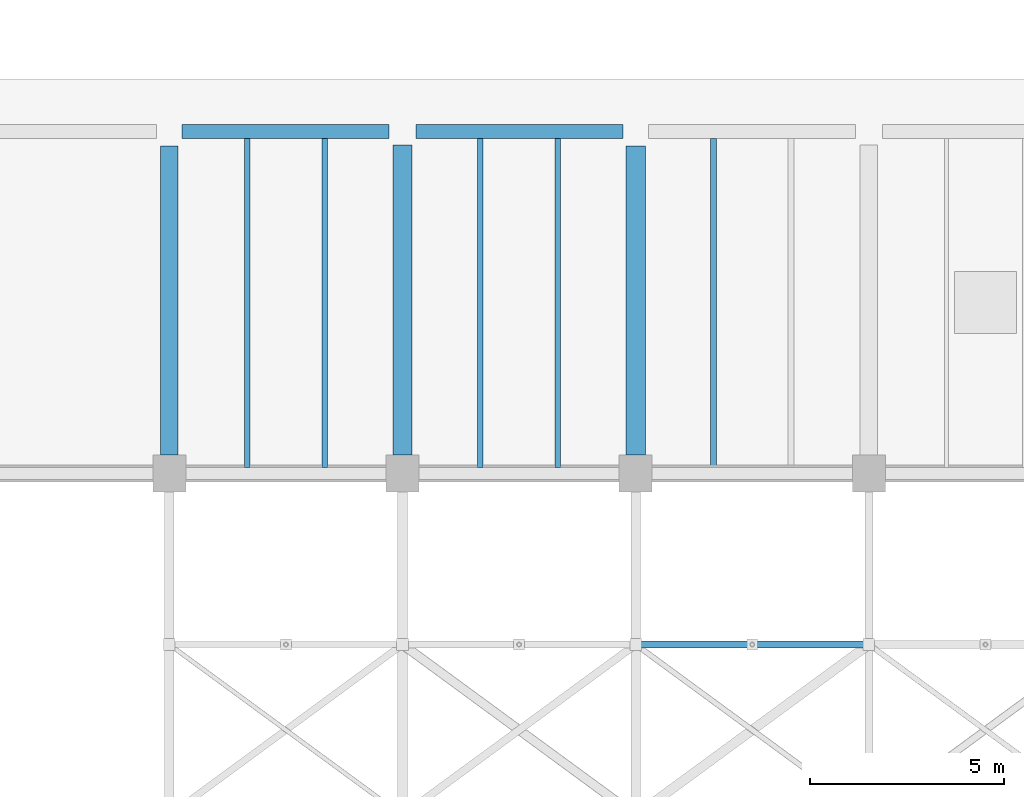
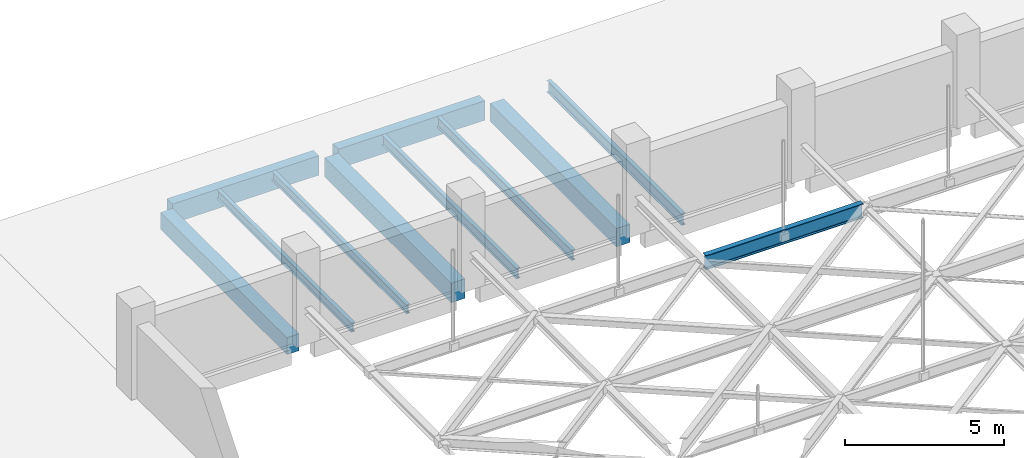
# One storey, part 50 of 93: 11 beams.
"""IFC4 building model written with IfcOpenShell, lengths in metres."""

from ifc_helpers import new_model, si_unit, direction, frame, origin, origin_2d, place, context, subcontext, project, spatial, rectangle, i_section, extrude, material, material_profile, profile_set, type_object, element, save


model = new_model("IFC4")

# Units and contexts
model_context = context("Model", 3, precision=1e-05, world=origin(), true_north=direction((0.0, 1.0)))
body_context = subcontext(model_context, "Body", "Model", "MODEL_VIEW")
ifc_project = project(units=[si_unit("LENGTHUNIT", "METRE"), si_unit("AREAUNIT", "SQUARE_METRE"), si_unit("VOLUMEUNIT", "CUBIC_METRE"), si_unit("PLANEANGLEUNIT", "RADIAN"), si_unit("MASSUNIT", "GRAM", prefix="KILO")], contexts=[model_context])

# Site, building, storey
site_placement = place(None, origin())
site = spatial("IfcSite", under=ifc_project, at=site_placement, CompositionType="ELEMENT")
building_placement = place(site_placement, origin())
building = spatial("IfcBuilding", under=site, at=building_placement, Name="Varnakota Cinema and Media Centre", CompositionType="ELEMENT")
storey_placement = place(building_placement, frame((0.0, 0.0, 12.0)))
storey = spatial("IfcBuildingStorey", under=building, at=storey_placement, Name="L03", CompositionType="ELEMENT", Elevation=12.0)

# Beams
ifc_material_1 = material(Name="Concrete M35", Category="concrete")
ifc_material_profile_1 = material_profile(ifc_material_1, rectangle(XDim=0.449951171875, YDim=0.64990234375, at=origin_2d()), Name="RCB 450x650")
ifc_profile_set_1 = profile_set([ifc_material_profile_1], Name="Concrete M35")
beam_type_1 = type_object("IfcBeamType", Name="BM-RC-450x650", PredefinedType="BEAM", material=ifc_profile_set_1)
beam_1_placement = place(storey_placement, frame((81.0, 35.675048828125, -0.5849609375), z_axis=(0.0, 1.0, 0.0), x_axis=(-1.0, 0.0, 0.0)))
element("IfcBeam", 1, at=beam_1_placement, inside=storey, type_object=beam_type_1, Name="L03 girder L/5-6", PredefinedType="BEAM", context=body_context, shape_type="SweptSolid", body=[
    extrude(rectangle(XDim=0.449951171875, YDim=0.64990234375, at=origin_2d()), origin(), (0.0, 0.0, 1.0), 7.949951171875),
])
ifc_material_2 = material(Name="Concrete M35", Category="concrete")
ifc_material_profile_2 = material_profile(ifc_material_2, rectangle(XDim=0.5, YDim=0.699951171875, at=origin_2d()), Name="RCB 500x700")
ifc_profile_set_2 = profile_set([ifc_material_profile_2], Name="Concrete M35")
beam_type_2 = type_object("IfcBeamType", Name="BM-RC-500x700", PredefinedType="BEAM", material=ifc_profile_set_2)
beam_2_placement = place(storey_placement, frame((93.0, 35.675048828125, -0.610107421875), z_axis=(0.0, 1.0, 0.0), x_axis=(-1.0, 0.0, 0.0)))
element("IfcBeam", 2, at=beam_2_placement, inside=storey, type_object=beam_type_2, Name="L03 girder N/5-6", PredefinedType="BEAM", context=body_context, shape_type="SweptSolid", body=[
    extrude(rectangle(XDim=0.5, YDim=0.699951171875, at=origin_2d()), origin(), (0.0, 0.0, 1.0), 7.949951171875),
])
ifc_material_3 = material(Name="Concrete M35", Category="concrete")
ifc_material_profile_3 = material_profile(ifc_material_3, rectangle(XDim=0.5, YDim=0.75, at=origin_2d()), Name="RCB 500x750")
ifc_profile_set_3 = profile_set([ifc_material_profile_3], Name="Concrete M35")
beam_type_3 = type_object("IfcBeamType", Name="BM-RC-500x750", PredefinedType="BEAM", material=ifc_profile_set_3)
beam_3_placement = place(storey_placement, frame((87.0, 35.675048828125, -0.635009765625), z_axis=(0.0, 1.0, 0.0), x_axis=(-1.0, 0.0, 0.0)))
element("IfcBeam", 3, at=beam_3_placement, inside=storey, type_object=beam_type_3, Name="L03 girder M/5-6", PredefinedType="BEAM", context=body_context, shape_type="SweptSolid", body=[
    extrude(rectangle(XDim=0.5, YDim=0.75, at=origin_2d()), origin(), (0.0, 0.0, 1.0), 7.974853515625),
])
ifc_material_4 = material(Name="Concrete M40", Category="concrete")
ifc_material_profile_4 = material_profile(ifc_material_4, rectangle(XDim=0.35009765625, YDim=0.75, at=origin_2d()), Name="RCB 350x750")
ifc_profile_set_4 = profile_set([ifc_material_profile_4], Name="Concrete M40")
beam_type_4 = type_object("IfcBeamType", Name="BM-SP-350x750", PredefinedType="SPANDREL", material=ifc_profile_set_4)
for number, where, z_axis, x_axis, name in (
    (4, (81.324951171875, 44.0, -0.635009765625), (1.0, 0.0, 0.0), (0.0, 1.0, 0.0), "L03 girder L-M/6"),
    (5, (87.35009765625, 44.0, -0.635009765625), (1.0, 0.0, 0.0), (0.0, 1.0, 0.0), "L03 girder M-N/6"),
):
    element("IfcBeam", number, at=place(storey_placement, frame(where, z_axis=z_axis, x_axis=x_axis)), inside=storey, type_object=beam_type_4, Name=name, PredefinedType="SPANDREL", context=body_context, shape_type="SweptSolid", body=[
        extrude(rectangle(XDim=0.35009765625, YDim=0.75, at=origin_2d()), origin(), (0.0, 0.0, 1.0), 5.324951171875),
    ])
ifc_material_5 = material(Name="Structural steel Grade 350 (E350)", Category="steel")
ifc_material_profile_5 = material_profile(ifc_material_5, i_section(OverallWidth=0.139892578125, OverallDepth=0.35009765625, WebThickness=0.008056640625, FlangeThickness=0.01416015625, FilletRadius=0.013916015625, at=origin_2d()), Name="ISMB 350")
ifc_profile_set_5 = profile_set([ifc_material_profile_5], Name="Structural steel Grade 350 (E350)")
beam_type_5 = type_object("IfcBeamType", Name="BM-ST-ISMB350", PredefinedType="JOIST", material=ifc_profile_set_5)
for number, where, z_axis, x_axis, name in (
    (6, (83.0, 35.35009765625, -0.43505859375), (0.0, 1.0, 0.0), (-1.0, 0.0, 0.0), "L03 steel joist L-M/5-6 #1"),
    (7, (85.0, 35.35009765625, -0.43505859375), (0.0, 1.0, 0.0), (-1.0, 0.0, 0.0), "L03 steel joist L-M/5-6 #2"),
):
    element("IfcBeam", number, at=place(storey_placement, frame(where, z_axis=z_axis, x_axis=x_axis)), inside=storey, type_object=beam_type_5, Name=name, PredefinedType="JOIST", context=body_context, shape_type="SweptSolid", body=[
        extrude(i_section(OverallWidth=0.139892578125, OverallDepth=0.35009765625, WebThickness=0.008056640625, FlangeThickness=0.01416015625, FilletRadius=0.013916015625, at=origin_2d()), origin(), (0.0, 0.0, 1.0), 8.474853515625),
    ])
ifc_material_6 = material(Name="Structural steel Grade 350 (E350)", Category="steel")
ifc_material_profile_6 = material_profile(ifc_material_6, i_section(OverallWidth=0.139892578125, OverallDepth=0.39990234375, WebThickness=0.0087890625, FlangeThickness=0.01611328125, FilletRadius=0.013916015625, at=origin_2d()), Name="ISMB 400")
ifc_profile_set_6 = profile_set([ifc_material_profile_6], Name="Structural steel Grade 350 (E350)")
beam_type_6 = type_object("IfcBeamType", Name="BM-ST-ISMB400", PredefinedType="JOIST", material=ifc_profile_set_6)
for number, where, z_axis, x_axis, name in (
    (8, (89.0, 35.35009765625, -0.4599609375), (0.0, 1.0, 0.0), (-1.0, 0.0, 0.0), "L03 steel joist M-N/5-6 #1"),
    (9, (91.0, 35.35009765625, -0.4599609375), (0.0, 1.0, 0.0), (-1.0, 0.0, 0.0), "L03 steel joist M-N/5-6 #2"),
):
    element("IfcBeam", number, at=place(storey_placement, frame(where, z_axis=z_axis, x_axis=x_axis)), inside=storey, type_object=beam_type_6, Name=name, PredefinedType="JOIST", context=body_context, shape_type="SweptSolid", body=[
        extrude(i_section(OverallWidth=0.139892578125, OverallDepth=0.39990234375, WebThickness=0.0087890625, FlangeThickness=0.01611328125, FilletRadius=0.013916015625, at=origin_2d()), origin(), (0.0, 0.0, 1.0), 8.474853515625),
    ])
ifc_material_7 = material(Name="Structural steel Grade 350 (E350)", Category="steel")
ifc_material_profile_7 = material_profile(ifc_material_7, i_section(OverallWidth=0.14990234375, OverallDepth=0.449951171875, WebThickness=0.009521484375, FlangeThickness=0.017333984375, FilletRadius=0.014892578125, at=origin_2d()), Name="ISMB 450")
ifc_profile_set_7 = profile_set([ifc_material_profile_7], Name="Structural steel Grade 350 (E350)")
beam_type_7 = type_object("IfcBeamType", Name="BM-ST-ISMB450", PredefinedType="BEAM", material=ifc_profile_set_7)
beam_4_placement = place(storey_placement, frame((95.0, 35.35009765625, -0.485107421875), z_axis=(0.0, 1.0, 0.0), x_axis=(-1.0, 0.0, 0.0)))
element("IfcBeam", 10, at=beam_4_placement, inside=storey, type_object=beam_type_7, Name="L03 steel joist N-P/5-6 #1", PredefinedType="BEAM", context=body_context, shape_type="SweptSolid", body=[
    extrude(i_section(OverallWidth=0.14990234375, OverallDepth=0.449951171875, WebThickness=0.009521484375, FlangeThickness=0.017333984375, FilletRadius=0.014892578125, at=origin_2d()), origin(), (0.0, 0.0, 1.0), 8.474853515625),
])
ifc_material_8 = material(Name="Structural steel Grade 350 (E350)", Category="steel")
ifc_material_profile_8 = material_profile(ifc_material_8, i_section(OverallWidth=0.18994140625, OverallDepth=0.550048828125, WebThickness=0.01123046875, FlangeThickness=0.019287109375, FilletRadius=0.01806640625, at=origin_2d()), Name="ISMB 550")
ifc_profile_set_8 = profile_set([ifc_material_profile_8], Name="Structural steel Grade 350 (E350)")
beam_type_8 = type_object("IfcBeamType", Name="BM-ST-ISMB550", PredefinedType="BEAM", material=ifc_profile_set_8)
beam_5_placement = place(storey_placement, frame((93.139892578125, 30.800048828125, 1.300048828125), z_axis=(1.0, 0.0, 0.0), x_axis=(0.0, 1.0, 0.0)))
element("IfcBeam", 11, at=beam_5_placement, inside=storey, type_object=beam_type_8, Name="V1 rigging beam 4.7", PredefinedType="BEAM", context=body_context, shape_type="SweptSolid", body=[
    extrude(i_section(OverallWidth=0.18994140625, OverallDepth=0.550048828125, WebThickness=0.01123046875, FlangeThickness=0.019287109375, FilletRadius=0.01806640625, at=origin_2d()), origin(), (0.0, 0.0, 1.0), 5.72021484375),
])

save(model, "model.ifc")
